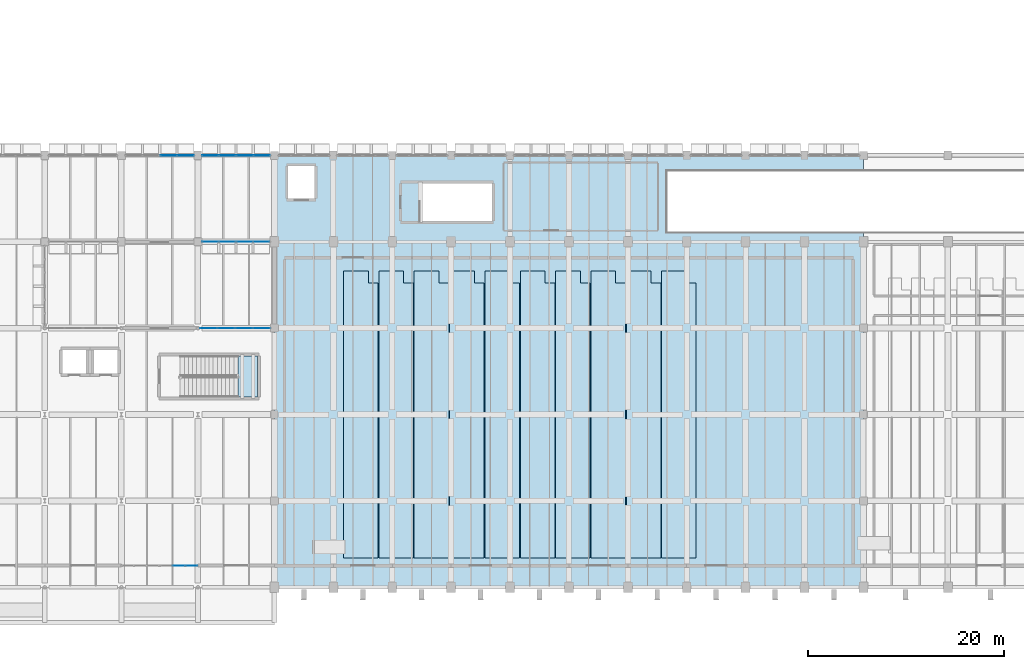
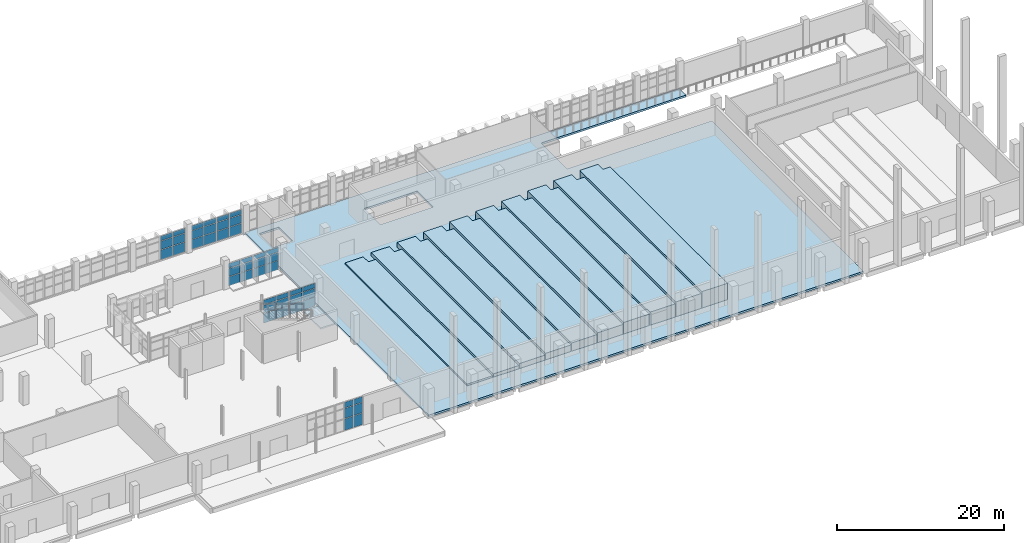
# One storey, part 52 of 76: 48 plates, 12 slabs, 9 elements without a shape of their own.
"""IFC4 building model written with IfcOpenShell, lengths in metres."""

from ifc_helpers import new_model, si_unit, direction, frame, origin, origin_2d, place, context, subcontext, project, spatial, polyline, rectangle, outline, extrude, material, layer, layer_set, type_object, element, aggregate, save


model = new_model("IFC4")

# Units and contexts
model_context = context("Model", 3, precision=1e-05, world=origin(), true_north=direction((0.0, 1.0)))
body_context = subcontext(model_context, "Body", "Model", "MODEL_VIEW")
ifc_project = project(units=[si_unit("LENGTHUNIT", "METRE"), si_unit("AREAUNIT", "SQUARE_METRE"), si_unit("VOLUMEUNIT", "CUBIC_METRE"), si_unit("PLANEANGLEUNIT", "RADIAN"), si_unit("MASSUNIT", "GRAM", prefix="KILO")], contexts=[model_context])

# Site, building, storey
site_placement = place(None, origin())
site = spatial("IfcSite", under=ifc_project, at=site_placement, CompositionType="ELEMENT")
building_placement = place(site_placement, origin())
building = spatial("IfcBuilding", under=site, at=building_placement, Name="Varnakota Cinema and Media Centre", CompositionType="ELEMENT")
storey_placement = place(building_placement, origin())
storey = spatial("IfcBuildingStorey", under=building, at=storey_placement, Name="L00", CompositionType="ELEMENT", Elevation=0.0)

# Curtain wall, plates
ifc_material_1 = material(Name="Thermally broken anodised aluminium AW-6063", Category="aluminium")
curtain_wall_type_1 = type_object("IfcCurtainWallType", Name="CW-STD-388x424", PredefinedType="USERDEFINED", material=ifc_material_1)
curtain_wall_1_placement = place(storey_placement, origin())
curtain_wall_1 = element("IfcCurtainWall", 1, at=curtain_wall_1_placement, inside=storey, type_object=curtain_wall_type_1, Name="L00 curtain wall CW-L00-V6-S-02-1", ObjectType="UNITISED CURTAIN WALL", PredefinedType="USERDEFINED")
ifc_material_2 = material(Name="Laminated solar-control double glazing", Category="glass")
ifc_layer_1 = layer(ifc_material_2, 0.028076171875)
ifc_layer_set_1 = layer_set([ifc_layer_1], Name="Laminated solar-control double glazing")
plate_type = type_object("IfcPlateType", Name="CWP-DGU-28", PredefinedType="CURTAIN_PANEL", material=ifc_layer_set_1)
plate_1_placement = place(storey_placement, frame((66.537109375, 2.199951171875, 0.06494140625), z_axis=(0.0, 0.0, 1.0), x_axis=(-1.0, 0.0, 0.0)))
plate_1 = element("IfcPlate", 2, at=plate_1_placement, type_object=plate_type, Name="CW05 panel 1.1", PredefinedType="CURTAIN_PANEL", context=body_context, shape_type="SweptSolid", body=[
    extrude(rectangle(XDim=1.19580078125, YDim=0.028076171875, at=origin_2d()), origin(), (0.0, 0.0, 1.0), 1.68115234375),
])
plate_2_placement = place(storey_placement, frame((66.537109375, 2.199951171875, 1.81103515625), z_axis=(0.0, 0.0, 1.0), x_axis=(-1.0, 0.0, 0.0)))
plate_2 = element("IfcPlate", 3, at=plate_2_placement, type_object=plate_type, Name="CW05 panel 1.2", PredefinedType="CURTAIN_PANEL", context=body_context, shape_type="SweptSolid", body=[
    extrude(rectangle(XDim=1.19580078125, YDim=0.028076171875, at=origin_2d()), origin(), (0.0, 0.0, 1.0), 1.459716796875),
])
plate_3_placement = place(storey_placement, frame((66.537109375, 2.199951171875, 3.3359375), z_axis=(0.0, 0.0, 1.0), x_axis=(-1.0, 0.0, 0.0)))
plate_3 = element("IfcPlate", 4, at=plate_3_placement, type_object=plate_type, Name="CW05 panel 1.3", PredefinedType="CURTAIN_PANEL", context=body_context, shape_type="SweptSolid", body=[
    extrude(rectangle(XDim=1.19580078125, YDim=0.028076171875, at=origin_2d()), origin(), (0.0, 0.0, 1.0), 0.834228515625),
])
plate_4_placement = place(storey_placement, frame((65.260009765625, 2.199951171875, 0.06494140625), z_axis=(0.0, 0.0, 1.0), x_axis=(-1.0, 0.0, 0.0)))
plate_4 = element("IfcPlate", 5, at=plate_4_placement, type_object=plate_type, Name="CW05 panel 2.1", PredefinedType="CURTAIN_PANEL", context=body_context, shape_type="SweptSolid", body=[
    extrude(rectangle(XDim=1.228271484375, YDim=0.028076171875, at=origin_2d()), origin(), (0.0, 0.0, 1.0), 1.68115234375),
])
plate_5_placement = place(storey_placement, frame((65.260009765625, 2.199951171875, 1.81103515625), z_axis=(0.0, 0.0, 1.0), x_axis=(-1.0, 0.0, 0.0)))
plate_5 = element("IfcPlate", 6, at=plate_5_placement, type_object=plate_type, Name="CW05 panel 2.2", PredefinedType="CURTAIN_PANEL", context=body_context, shape_type="SweptSolid", body=[
    extrude(rectangle(XDim=1.228271484375, YDim=0.028076171875, at=origin_2d()), origin(), (0.0, 0.0, 1.0), 1.459716796875),
])
plate_6_placement = place(storey_placement, frame((65.260009765625, 2.199951171875, 3.3359375), z_axis=(0.0, 0.0, 1.0), x_axis=(-1.0, 0.0, 0.0)))
plate_6 = element("IfcPlate", 7, at=plate_6_placement, type_object=plate_type, Name="CW05 panel 2.3", PredefinedType="CURTAIN_PANEL", context=body_context, shape_type="SweptSolid", body=[
    extrude(rectangle(XDim=1.228271484375, YDim=0.028076171875, at=origin_2d()), origin(), (0.0, 0.0, 1.0), 0.834228515625),
])
aggregate(curtain_wall_1, [plate_1, plate_2, plate_3, plate_4, plate_5, plate_6])

ifc_material_3 = material(Name="Thermally broken anodised aluminium AW-6063", Category="aluminium")
curtain_wall_type_2 = type_object("IfcCurtainWallType", Name="CW-STD-349x358", PredefinedType="USERDEFINED", material=ifc_material_3)
curtain_wall_2_placement = place(storey_placement, origin())
curtain_wall_2 = element("IfcCurtainWall", 8, at=curtain_wall_2_placement, inside=storey, type_object=curtain_wall_type_2, Name="L00 curtain wall CW-L00-LINK-N-03-2", ObjectType="UNITISED CURTAIN WALL", PredefinedType="USERDEFINED")
plate_7_placement = place(storey_placement, frame((64.221923828125, 44.0, 0.06494140625), z_axis=(0.0, 0.0, 1.0), x_axis=(1.0, 0.0, 0.0)))
plate_7 = element("IfcPlate", 9, at=plate_7_placement, type_object=plate_type, Name="CW08 panel 1.1", PredefinedType="CURTAIN_PANEL", context=body_context, shape_type="SweptSolid", body=[
    extrude(rectangle(XDim=1.648681640625, YDim=0.028076171875, at=origin_2d()), origin(), (0.0, 0.0, 1.0), 1.408203125),
])
plate_8_placement = place(storey_placement, frame((64.221923828125, 44.0, 1.5380859375), z_axis=(0.0, 0.0, 1.0), x_axis=(1.0, 0.0, 0.0)))
plate_8 = element("IfcPlate", 10, at=plate_8_placement, type_object=plate_type, Name="CW08 panel 1.2", PredefinedType="CURTAIN_PANEL", context=body_context, shape_type="SweptSolid", body=[
    extrude(rectangle(XDim=1.648681640625, YDim=0.028076171875, at=origin_2d()), origin(), (0.0, 0.0, 1.0), 1.2255859375),
])
plate_9_placement = place(storey_placement, frame((64.221923828125, 44.0, 2.82861328125), z_axis=(0.0, 0.0, 1.0), x_axis=(1.0, 0.0, 0.0)))
plate_9 = element("IfcPlate", 11, at=plate_9_placement, type_object=plate_type, Name="CW08 panel 1.3", PredefinedType="CURTAIN_PANEL", context=body_context, shape_type="SweptSolid", body=[
    extrude(rectangle(XDim=1.648681640625, YDim=0.028076171875, at=origin_2d()), origin(), (0.0, 0.0, 1.0), 0.691162109375),
])
plate_10_placement = place(storey_placement, frame((65.935546875, 44.0, 0.06494140625), z_axis=(0.0, 0.0, 1.0), x_axis=(1.0, 0.0, 0.0)))
plate_10 = element("IfcPlate", 12, at=plate_10_placement, type_object=plate_type, Name="CW08 panel 2.1", PredefinedType="CURTAIN_PANEL", context=body_context, shape_type="SweptSolid", body=[
    extrude(rectangle(XDim=1.648681640625, YDim=0.028076171875, at=origin_2d()), origin(), (0.0, 0.0, 1.0), 1.408203125),
])
plate_11_placement = place(storey_placement, frame((65.935546875, 44.0, 1.5380859375), z_axis=(0.0, 0.0, 1.0), x_axis=(1.0, 0.0, 0.0)))
plate_11 = element("IfcPlate", 13, at=plate_11_placement, type_object=plate_type, Name="CW08 panel 2.2", PredefinedType="CURTAIN_PANEL", context=body_context, shape_type="SweptSolid", body=[
    extrude(rectangle(XDim=1.648681640625, YDim=0.028076171875, at=origin_2d()), origin(), (0.0, 0.0, 1.0), 1.2255859375),
])
plate_12_placement = place(storey_placement, frame((65.935546875, 44.0, 2.82861328125), z_axis=(0.0, 0.0, 1.0), x_axis=(1.0, 0.0, 0.0)))
plate_12 = element("IfcPlate", 14, at=plate_12_placement, type_object=plate_type, Name="CW08 panel 2.3", PredefinedType="CURTAIN_PANEL", context=body_context, shape_type="SweptSolid", body=[
    extrude(rectangle(XDim=1.648681640625, YDim=0.028076171875, at=origin_2d()), origin(), (0.0, 0.0, 1.0), 0.691162109375),
])
aggregate(curtain_wall_2, [plate_7, plate_8, plate_9, plate_10, plate_11, plate_12])

curtain_wall_3_placement = place(storey_placement, origin())
curtain_wall_3 = element("IfcCurtainWall", 15, at=curtain_wall_3_placement, inside=storey, type_object=curtain_wall_type_2, Name="L00 curtain wall CW-L00-LINK-N-04-1", ObjectType="UNITISED CURTAIN WALL", PredefinedType="USERDEFINED")
plate_13_placement = place(storey_placement, frame((68.46435546875, 44.0, 0.06494140625), z_axis=(0.0, 0.0, 1.0), x_axis=(1.0, 0.0, 0.0)))
plate_13 = element("IfcPlate", 16, at=plate_13_placement, type_object=plate_type, Name="CW08 panel 1.1", PredefinedType="CURTAIN_PANEL", context=body_context, shape_type="SweptSolid", body=[
    extrude(rectangle(XDim=1.648681640625, YDim=0.028076171875, at=origin_2d()), origin(), (0.0, 0.0, 1.0), 1.408203125),
])
plate_14_placement = place(storey_placement, frame((68.46435546875, 44.0, 1.5380859375), z_axis=(0.0, 0.0, 1.0), x_axis=(1.0, 0.0, 0.0)))
plate_14 = element("IfcPlate", 17, at=plate_14_placement, type_object=plate_type, Name="CW08 panel 1.2", PredefinedType="CURTAIN_PANEL", context=body_context, shape_type="SweptSolid", body=[
    extrude(rectangle(XDim=1.648681640625, YDim=0.028076171875, at=origin_2d()), origin(), (0.0, 0.0, 1.0), 1.2255859375),
])
plate_15_placement = place(storey_placement, frame((68.46435546875, 44.0, 2.82861328125), z_axis=(0.0, 0.0, 1.0), x_axis=(1.0, 0.0, 0.0)))
plate_15 = element("IfcPlate", 18, at=plate_15_placement, type_object=plate_type, Name="CW08 panel 1.3", PredefinedType="CURTAIN_PANEL", context=body_context, shape_type="SweptSolid", body=[
    extrude(rectangle(XDim=1.648681640625, YDim=0.028076171875, at=origin_2d()), origin(), (0.0, 0.0, 1.0), 0.691162109375),
])
plate_16_placement = place(storey_placement, frame((70.17822265625, 44.0, 0.06494140625), z_axis=(0.0, 0.0, 1.0), x_axis=(1.0, 0.0, 0.0)))
plate_16 = element("IfcPlate", 19, at=plate_16_placement, type_object=plate_type, Name="CW08 panel 2.1", PredefinedType="CURTAIN_PANEL", context=body_context, shape_type="SweptSolid", body=[
    extrude(rectangle(XDim=1.648681640625, YDim=0.028076171875, at=origin_2d()), origin(), (0.0, 0.0, 1.0), 1.408203125),
])
plate_17_placement = place(storey_placement, frame((70.17822265625, 44.0, 1.5380859375), z_axis=(0.0, 0.0, 1.0), x_axis=(1.0, 0.0, 0.0)))
plate_17 = element("IfcPlate", 20, at=plate_17_placement, type_object=plate_type, Name="CW08 panel 2.2", PredefinedType="CURTAIN_PANEL", context=body_context, shape_type="SweptSolid", body=[
    extrude(rectangle(XDim=1.648681640625, YDim=0.028076171875, at=origin_2d()), origin(), (0.0, 0.0, 1.0), 1.2255859375),
])
plate_18_placement = place(storey_placement, frame((70.17822265625, 44.0, 2.82861328125), z_axis=(0.0, 0.0, 1.0), x_axis=(1.0, 0.0, 0.0)))
plate_18 = element("IfcPlate", 21, at=plate_18_placement, type_object=plate_type, Name="CW08 panel 2.3", PredefinedType="CURTAIN_PANEL", context=body_context, shape_type="SweptSolid", body=[
    extrude(rectangle(XDim=1.648681640625, YDim=0.028076171875, at=origin_2d()), origin(), (0.0, 0.0, 1.0), 0.691162109375),
])
aggregate(curtain_wall_3, [plate_13, plate_14, plate_15, plate_16, plate_17, plate_18])

curtain_wall_4_placement = place(storey_placement, origin())
curtain_wall_4 = element("IfcCurtainWall", 22, at=curtain_wall_4_placement, inside=storey, type_object=curtain_wall_type_2, Name="L00 curtain wall CW-L00-LINK-N-04-2", ObjectType="UNITISED CURTAIN WALL", PredefinedType="USERDEFINED")
plate_19_placement = place(storey_placement, frame((71.996826171875, 44.0, 0.06494140625), z_axis=(0.0, 0.0, 1.0), x_axis=(1.0, 0.0, 0.0)))
plate_19 = element("IfcPlate", 23, at=plate_19_placement, type_object=plate_type, Name="CW08 panel 1.1", PredefinedType="CURTAIN_PANEL", context=body_context, shape_type="SweptSolid", body=[
    extrude(rectangle(XDim=1.648681640625, YDim=0.028076171875, at=origin_2d()), origin(), (0.0, 0.0, 1.0), 1.408203125),
])
plate_20_placement = place(storey_placement, frame((71.996826171875, 44.0, 1.5380859375), z_axis=(0.0, 0.0, 1.0), x_axis=(1.0, 0.0, 0.0)))
plate_20 = element("IfcPlate", 24, at=plate_20_placement, type_object=plate_type, Name="CW08 panel 1.2", PredefinedType="CURTAIN_PANEL", context=body_context, shape_type="SweptSolid", body=[
    extrude(rectangle(XDim=1.648681640625, YDim=0.028076171875, at=origin_2d()), origin(), (0.0, 0.0, 1.0), 1.2255859375),
])
plate_21_placement = place(storey_placement, frame((71.996826171875, 44.0, 2.82861328125), z_axis=(0.0, 0.0, 1.0), x_axis=(1.0, 0.0, 0.0)))
plate_21 = element("IfcPlate", 25, at=plate_21_placement, type_object=plate_type, Name="CW08 panel 1.3", PredefinedType="CURTAIN_PANEL", context=body_context, shape_type="SweptSolid", body=[
    extrude(rectangle(XDim=1.648681640625, YDim=0.028076171875, at=origin_2d()), origin(), (0.0, 0.0, 1.0), 0.691162109375),
])
plate_22_placement = place(storey_placement, frame((73.710693359375, 44.0, 0.06494140625), z_axis=(0.0, 0.0, 1.0), x_axis=(1.0, 0.0, 0.0)))
plate_22 = element("IfcPlate", 26, at=plate_22_placement, type_object=plate_type, Name="CW08 panel 2.1", PredefinedType="CURTAIN_PANEL", context=body_context, shape_type="SweptSolid", body=[
    extrude(rectangle(XDim=1.648681640625, YDim=0.028076171875, at=origin_2d()), origin(), (0.0, 0.0, 1.0), 1.408203125),
])
plate_23_placement = place(storey_placement, frame((73.710693359375, 44.0, 1.5380859375), z_axis=(0.0, 0.0, 1.0), x_axis=(1.0, 0.0, 0.0)))
plate_23 = element("IfcPlate", 27, at=plate_23_placement, type_object=plate_type, Name="CW08 panel 2.2", PredefinedType="CURTAIN_PANEL", context=body_context, shape_type="SweptSolid", body=[
    extrude(rectangle(XDim=1.648681640625, YDim=0.028076171875, at=origin_2d()), origin(), (0.0, 0.0, 1.0), 1.2255859375),
])
plate_24_placement = place(storey_placement, frame((73.710693359375, 44.0, 2.82861328125), z_axis=(0.0, 0.0, 1.0), x_axis=(1.0, 0.0, 0.0)))
plate_24 = element("IfcPlate", 28, at=plate_24_placement, type_object=plate_type, Name="CW08 panel 2.3", PredefinedType="CURTAIN_PANEL", context=body_context, shape_type="SweptSolid", body=[
    extrude(rectangle(XDim=1.648681640625, YDim=0.028076171875, at=origin_2d()), origin(), (0.0, 0.0, 1.0), 0.691162109375),
])
aggregate(curtain_wall_4, [plate_19, plate_20, plate_21, plate_22, plate_23, plate_24])

ifc_material_4 = material(Name="Thermally broken anodised aluminium AW-6063", Category="aluminium")
curtain_wall_type_3 = type_object("IfcCurtainWallType", Name="CW-STD-360x348", PredefinedType="USERDEFINED", material=ifc_material_4)
curtain_wall_5_placement = place(storey_placement, origin())
curtain_wall_5 = element("IfcCurtainWall", 29, at=curtain_wall_5_placement, inside=storey, type_object=curtain_wall_type_3, Name="L00 curtain wall CW-L00-V6-N-03-1", ObjectType="UNITISED CURTAIN WALL", PredefinedType="USERDEFINED")
plate_25_placement = place(storey_placement, frame((68.278076171875, 26.39990234375, 0.06494140625), z_axis=(0.0, 0.0, 1.0), x_axis=(1.0, 0.0, 0.0)))
plate_25 = element("IfcPlate", 30, at=plate_25_placement, type_object=plate_type, Name="CW10 panel 1.1", PredefinedType="CURTAIN_PANEL", context=body_context, shape_type="SweptSolid", body=[
    extrude(rectangle(XDim=1.701904296875, YDim=0.028076171875, at=origin_2d()), origin(), (0.0, 0.0, 1.0), 1.3662109375),
])
plate_26_placement = place(storey_placement, frame((68.278076171875, 26.39990234375, 1.49609375), z_axis=(0.0, 0.0, 1.0), x_axis=(1.0, 0.0, 0.0)))
plate_26 = element("IfcPlate", 31, at=plate_26_placement, type_object=plate_type, Name="CW10 panel 1.2", PredefinedType="CURTAIN_PANEL", context=body_context, shape_type="SweptSolid", body=[
    extrude(rectangle(XDim=1.701904296875, YDim=0.028076171875, at=origin_2d()), origin(), (0.0, 0.0, 1.0), 1.189697265625),
])
plate_27_placement = place(storey_placement, frame((68.278076171875, 26.39990234375, 2.7509765625), z_axis=(0.0, 0.0, 1.0), x_axis=(1.0, 0.0, 0.0)))
plate_27 = element("IfcPlate", 32, at=plate_27_placement, type_object=plate_type, Name="CW10 panel 1.3", PredefinedType="CURTAIN_PANEL", context=body_context, shape_type="SweptSolid", body=[
    extrude(rectangle(XDim=1.701904296875, YDim=0.028076171875, at=origin_2d()), origin(), (0.0, 0.0, 1.0), 0.669189453125),
])
plate_28_placement = place(storey_placement, frame((70.044921875, 26.39990234375, 0.06494140625), z_axis=(0.0, 0.0, 1.0), x_axis=(1.0, 0.0, 0.0)))
plate_28 = element("IfcPlate", 33, at=plate_28_placement, type_object=plate_type, Name="CW10 panel 2.1", PredefinedType="CURTAIN_PANEL", context=body_context, shape_type="SweptSolid", body=[
    extrude(rectangle(XDim=1.701904296875, YDim=0.028076171875, at=origin_2d()), origin(), (0.0, 0.0, 1.0), 1.3662109375),
])
plate_29_placement = place(storey_placement, frame((70.044921875, 26.39990234375, 1.49609375), z_axis=(0.0, 0.0, 1.0), x_axis=(1.0, 0.0, 0.0)))
plate_29 = element("IfcPlate", 34, at=plate_29_placement, type_object=plate_type, Name="CW10 panel 2.2", PredefinedType="CURTAIN_PANEL", context=body_context, shape_type="SweptSolid", body=[
    extrude(rectangle(XDim=1.701904296875, YDim=0.028076171875, at=origin_2d()), origin(), (0.0, 0.0, 1.0), 1.189697265625),
])
plate_30_placement = place(storey_placement, frame((70.044921875, 26.39990234375, 2.7509765625), z_axis=(0.0, 0.0, 1.0), x_axis=(1.0, 0.0, 0.0)))
plate_30 = element("IfcPlate", 35, at=plate_30_placement, type_object=plate_type, Name="CW10 panel 2.3", PredefinedType="CURTAIN_PANEL", context=body_context, shape_type="SweptSolid", body=[
    extrude(rectangle(XDim=1.701904296875, YDim=0.028076171875, at=origin_2d()), origin(), (0.0, 0.0, 1.0), 0.669189453125),
])
aggregate(curtain_wall_5, [plate_25, plate_26, plate_27, plate_28, plate_29, plate_30])

curtain_wall_6_placement = place(storey_placement, origin())
curtain_wall_6 = element("IfcCurtainWall", 36, at=curtain_wall_6_placement, inside=storey, type_object=curtain_wall_type_3, Name="L00 curtain wall CW-L00-V6-N-03-2", ObjectType="UNITISED CURTAIN WALL", PredefinedType="USERDEFINED")
plate_31_placement = place(storey_placement, frame((71.9169921875, 26.39990234375, 0.06494140625), z_axis=(0.0, 0.0, 1.0), x_axis=(1.0, 0.0, 0.0)))
plate_31 = element("IfcPlate", 37, at=plate_31_placement, type_object=plate_type, Name="CW10 panel 1.1", PredefinedType="CURTAIN_PANEL", context=body_context, shape_type="SweptSolid", body=[
    extrude(rectangle(XDim=1.701904296875, YDim=0.028076171875, at=origin_2d()), origin(), (0.0, 0.0, 1.0), 1.3662109375),
])
plate_32_placement = place(storey_placement, frame((71.9169921875, 26.39990234375, 1.49609375), z_axis=(0.0, 0.0, 1.0), x_axis=(1.0, 0.0, 0.0)))
plate_32 = element("IfcPlate", 38, at=plate_32_placement, type_object=plate_type, Name="CW10 panel 1.2", PredefinedType="CURTAIN_PANEL", context=body_context, shape_type="SweptSolid", body=[
    extrude(rectangle(XDim=1.701904296875, YDim=0.028076171875, at=origin_2d()), origin(), (0.0, 0.0, 1.0), 1.189697265625),
])
plate_33_placement = place(storey_placement, frame((71.9169921875, 26.39990234375, 2.7509765625), z_axis=(0.0, 0.0, 1.0), x_axis=(1.0, 0.0, 0.0)))
plate_33 = element("IfcPlate", 39, at=plate_33_placement, type_object=plate_type, Name="CW10 panel 1.3", PredefinedType="CURTAIN_PANEL", context=body_context, shape_type="SweptSolid", body=[
    extrude(rectangle(XDim=1.701904296875, YDim=0.028076171875, at=origin_2d()), origin(), (0.0, 0.0, 1.0), 0.669189453125),
])
plate_34_placement = place(storey_placement, frame((73.68408203125, 26.39990234375, 0.06494140625), z_axis=(0.0, 0.0, 1.0), x_axis=(1.0, 0.0, 0.0)))
plate_34 = element("IfcPlate", 40, at=plate_34_placement, type_object=plate_type, Name="CW10 panel 2.1", PredefinedType="CURTAIN_PANEL", context=body_context, shape_type="SweptSolid", body=[
    extrude(rectangle(XDim=1.701904296875, YDim=0.028076171875, at=origin_2d()), origin(), (0.0, 0.0, 1.0), 1.3662109375),
])
plate_35_placement = place(storey_placement, frame((73.68408203125, 26.39990234375, 1.49609375), z_axis=(0.0, 0.0, 1.0), x_axis=(1.0, 0.0, 0.0)))
plate_35 = element("IfcPlate", 41, at=plate_35_placement, type_object=plate_type, Name="CW10 panel 2.2", PredefinedType="CURTAIN_PANEL", context=body_context, shape_type="SweptSolid", body=[
    extrude(rectangle(XDim=1.701904296875, YDim=0.028076171875, at=origin_2d()), origin(), (0.0, 0.0, 1.0), 1.189697265625),
])
plate_36_placement = place(storey_placement, frame((73.68408203125, 26.39990234375, 2.7509765625), z_axis=(0.0, 0.0, 1.0), x_axis=(1.0, 0.0, 0.0)))
plate_36 = element("IfcPlate", 42, at=plate_36_placement, type_object=plate_type, Name="CW10 panel 2.3", PredefinedType="CURTAIN_PANEL", context=body_context, shape_type="SweptSolid", body=[
    extrude(rectangle(XDim=1.701904296875, YDim=0.028076171875, at=origin_2d()), origin(), (0.0, 0.0, 1.0), 0.669189453125),
])
aggregate(curtain_wall_6, [plate_31, plate_32, plate_33, plate_34, plate_35, plate_36])

ifc_material_5 = material(Name="Thermally broken anodised aluminium AW-6063", Category="aluminium")
curtain_wall_type_4 = type_object("IfcCurtainWallType", Name="CW-STD-346x338", PredefinedType="USERDEFINED", material=ifc_material_5)
curtain_wall_7_placement = place(storey_placement, origin())
curtain_wall_7 = element("IfcCurtainWall", 43, at=curtain_wall_7_placement, inside=storey, type_object=curtain_wall_type_4, Name="L00 curtain wall CW-L00-LINK-S-01-1", ObjectType="UNITISED CURTAIN WALL", PredefinedType="USERDEFINED")
plate_37_placement = place(storey_placement, frame((73.669921875, 35.199951171875, 0.06494140625), z_axis=(0.0, 0.0, 1.0), x_axis=(-1.0, 0.0, 0.0)))
plate_37 = element("IfcPlate", 44, at=plate_37_placement, type_object=plate_type, Name="CW11 panel 1.1", PredefinedType="CURTAIN_PANEL", context=body_context, shape_type="SweptSolid", body=[
    extrude(rectangle(XDim=1.6298828125, YDim=0.028076171875, at=origin_2d()), origin(), (0.0, 0.0, 1.0), 1.32421875),
])
plate_38_placement = place(storey_placement, frame((73.669921875, 35.199951171875, 1.4541015625), z_axis=(0.0, 0.0, 1.0), x_axis=(-1.0, 0.0, 0.0)))
plate_38 = element("IfcPlate", 45, at=plate_38_placement, type_object=plate_type, Name="CW11 panel 1.2", PredefinedType="CURTAIN_PANEL", context=body_context, shape_type="SweptSolid", body=[
    extrude(rectangle(XDim=1.6298828125, YDim=0.028076171875, at=origin_2d()), origin(), (0.0, 0.0, 1.0), 1.153564453125),
])
plate_39_placement = place(storey_placement, frame((73.669921875, 35.199951171875, 2.6728515625), z_axis=(0.0, 0.0, 1.0), x_axis=(-1.0, 0.0, 0.0)))
plate_39 = element("IfcPlate", 46, at=plate_39_placement, type_object=plate_type, Name="CW11 panel 1.3", PredefinedType="CURTAIN_PANEL", context=body_context, shape_type="SweptSolid", body=[
    extrude(rectangle(XDim=1.6298828125, YDim=0.028076171875, at=origin_2d()), origin(), (0.0, 0.0, 1.0), 0.647216796875),
])
plate_40_placement = place(storey_placement, frame((71.97509765625, 35.199951171875, 0.06494140625), z_axis=(0.0, 0.0, 1.0), x_axis=(-1.0, 0.0, 0.0)))
plate_40 = element("IfcPlate", 47, at=plate_40_placement, type_object=plate_type, Name="CW11 panel 2.1", PredefinedType="CURTAIN_PANEL", context=body_context, shape_type="SweptSolid", body=[
    extrude(rectangle(XDim=1.6298828125, YDim=0.028076171875, at=origin_2d()), origin(), (0.0, 0.0, 1.0), 1.32421875),
])
plate_41_placement = place(storey_placement, frame((71.97509765625, 35.199951171875, 1.4541015625), z_axis=(0.0, 0.0, 1.0), x_axis=(-1.0, 0.0, 0.0)))
plate_41 = element("IfcPlate", 48, at=plate_41_placement, type_object=plate_type, Name="CW11 panel 2.2", PredefinedType="CURTAIN_PANEL", context=body_context, shape_type="SweptSolid", body=[
    extrude(rectangle(XDim=1.6298828125, YDim=0.028076171875, at=origin_2d()), origin(), (0.0, 0.0, 1.0), 1.153564453125),
])
plate_42_placement = place(storey_placement, frame((71.97509765625, 35.199951171875, 2.6728515625), z_axis=(0.0, 0.0, 1.0), x_axis=(-1.0, 0.0, 0.0)))
plate_42 = element("IfcPlate", 49, at=plate_42_placement, type_object=plate_type, Name="CW11 panel 2.3", PredefinedType="CURTAIN_PANEL", context=body_context, shape_type="SweptSolid", body=[
    extrude(rectangle(XDim=1.6298828125, YDim=0.028076171875, at=origin_2d()), origin(), (0.0, 0.0, 1.0), 0.647216796875),
])
aggregate(curtain_wall_7, [plate_37, plate_38, plate_39, plate_40, plate_41, plate_42])

curtain_wall_8_placement = place(storey_placement, origin())
curtain_wall_8 = element("IfcCurtainWall", 50, at=curtain_wall_8_placement, inside=storey, type_object=curtain_wall_type_4, Name="L00 curtain wall CW-L00-LINK-S-01-2", ObjectType="UNITISED CURTAIN WALL", PredefinedType="USERDEFINED")
plate_43_placement = place(storey_placement, frame((70.175048828125, 35.199951171875, 0.06494140625), z_axis=(0.0, 0.0, 1.0), x_axis=(-1.0, 0.0, 0.0)))
plate_43 = element("IfcPlate", 51, at=plate_43_placement, type_object=plate_type, Name="CW11 panel 1.1", PredefinedType="CURTAIN_PANEL", context=body_context, shape_type="SweptSolid", body=[
    extrude(rectangle(XDim=1.6298828125, YDim=0.028076171875, at=origin_2d()), origin(), (0.0, 0.0, 1.0), 1.32421875),
])
plate_44_placement = place(storey_placement, frame((70.175048828125, 35.199951171875, 1.4541015625), z_axis=(0.0, 0.0, 1.0), x_axis=(-1.0, 0.0, 0.0)))
plate_44 = element("IfcPlate", 52, at=plate_44_placement, type_object=plate_type, Name="CW11 panel 1.2", PredefinedType="CURTAIN_PANEL", context=body_context, shape_type="SweptSolid", body=[
    extrude(rectangle(XDim=1.6298828125, YDim=0.028076171875, at=origin_2d()), origin(), (0.0, 0.0, 1.0), 1.153564453125),
])
plate_45_placement = place(storey_placement, frame((70.175048828125, 35.199951171875, 2.6728515625), z_axis=(0.0, 0.0, 1.0), x_axis=(-1.0, 0.0, 0.0)))
plate_45 = element("IfcPlate", 53, at=plate_45_placement, type_object=plate_type, Name="CW11 panel 1.3", PredefinedType="CURTAIN_PANEL", context=body_context, shape_type="SweptSolid", body=[
    extrude(rectangle(XDim=1.6298828125, YDim=0.028076171875, at=origin_2d()), origin(), (0.0, 0.0, 1.0), 0.647216796875),
])
plate_46_placement = place(storey_placement, frame((68.47998046875, 35.199951171875, 0.06494140625), z_axis=(0.0, 0.0, 1.0), x_axis=(-1.0, 0.0, 0.0)))
plate_46 = element("IfcPlate", 54, at=plate_46_placement, type_object=plate_type, Name="CW11 panel 2.1", PredefinedType="CURTAIN_PANEL", context=body_context, shape_type="SweptSolid", body=[
    extrude(rectangle(XDim=1.6298828125, YDim=0.028076171875, at=origin_2d()), origin(), (0.0, 0.0, 1.0), 1.32421875),
])
plate_47_placement = place(storey_placement, frame((68.47998046875, 35.199951171875, 1.4541015625), z_axis=(0.0, 0.0, 1.0), x_axis=(-1.0, 0.0, 0.0)))
plate_47 = element("IfcPlate", 55, at=plate_47_placement, type_object=plate_type, Name="CW11 panel 2.2", PredefinedType="CURTAIN_PANEL", context=body_context, shape_type="SweptSolid", body=[
    extrude(rectangle(XDim=1.6298828125, YDim=0.028076171875, at=origin_2d()), origin(), (0.0, 0.0, 1.0), 1.153564453125),
])
plate_48_placement = place(storey_placement, frame((68.47998046875, 35.199951171875, 2.6728515625), z_axis=(0.0, 0.0, 1.0), x_axis=(-1.0, 0.0, 0.0)))
plate_48 = element("IfcPlate", 56, at=plate_48_placement, type_object=plate_type, Name="CW11 panel 2.3", PredefinedType="CURTAIN_PANEL", context=body_context, shape_type="SweptSolid", body=[
    extrude(rectangle(XDim=1.6298828125, YDim=0.028076171875, at=origin_2d()), origin(), (0.0, 0.0, 1.0), 0.647216796875),
])
aggregate(curtain_wall_8, [plate_43, plate_44, plate_45, plate_46, plate_47, plate_48])

# Slab
ifc_material_6 = material(Name="Concrete M35", Category="concrete")
ifc_layer_2 = layer(ifc_material_6, 0.280029296875)
ifc_layer_set_2 = layer_set([ifc_layer_2], Name="Concrete M35")
slab_type_1 = type_object("IfcSlabType", Name="SLB-FLR-280", PredefinedType="FLOOR", material=ifc_layer_set_2)
slab_1_placement = place(storey_placement, frame((0.0, 0.0, -0.280029296875)))
element("IfcSlab", 57, at=slab_1_placement, inside=storey, type_object=slab_type_1, Name="L00 V1 floor slab", PredefinedType="FLOOR", context=body_context, shape_type="SweptSolid", body=[
    extrude(outline(polyline([(75.0, 0.0), (135.0, 0.0), (135.0, 36.199951171875), (115.0, 36.199951171875), (115.0, 42.39990234375), (135.0, 42.39990234375), (135.0, 44.0), (75.0, 44.0), (75.0, 0.0)]), holes=[polyline([(89.85009765625, 37.300048828125), (97.159912109375, 37.300048828125), (97.159912109375, 41.14990234375), (89.85009765625, 41.14990234375), (89.85009765625, 37.300048828125)]), polyline([(76.39990234375, 39.60009765625), (79.10009765625, 39.60009765625), (79.10009765625, 42.89990234375), (76.39990234375, 42.89990234375), (76.39990234375, 39.60009765625)])]), origin(), (0.0, 0.0, 1.0), 0.280029296875),
])

# Stair, slab
ifc_material_7 = material(Name="Concrete M35", Category="concrete")
stair_type = type_object("IfcStairType", Name="STR-CORE-ST-04-2000", PredefinedType="HALF_TURN_STAIR", material=ifc_material_7)
stair_placement = place(storey_placement, origin())
stair = element("IfcStair", 58, at=stair_placement, inside=storey, type_object=stair_type, Name="L00 Foyer and Terrace Escape Stair 4", PredefinedType="HALF_TURN_STAIR")
ifc_material_8 = material(Name="Concrete M35", Category="concrete")
ifc_layer_3 = layer(ifc_material_8, 0.199951171875)
ifc_layer_set_3 = layer_set([ifc_layer_3], Name="Concrete M35")
slab_type_2 = type_object("IfcSlabType", Name="SLB-LAND-ST-04", PredefinedType="LANDING", material=ifc_layer_set_3)
slab_2_placement = place(storey_placement, frame((0.0, 0.0, 2.050048828125)))
slab_2 = element("IfcSlab", 59, at=slab_2_placement, type_object=slab_type_2, Name="ST-04 landing 1", PredefinedType="LANDING", context=body_context, shape_type="SweptSolid", body=[
    extrude(outline(polyline([(71.280029296875, 19.39990234375), (73.280029296875, 19.39990234375), (73.280029296875, 23.550048828125), (71.280029296875, 23.550048828125), (71.280029296875, 19.39990234375)])), origin(), (0.0, 0.0, 1.0), 0.199951171875),
])
aggregate(stair, [slab_2])

# Slabs
ifc_material_9 = material(Name="Concrete M35", Category="concrete")
ifc_layer_4 = layer(ifc_material_9, 0.219970703125)
ifc_layer_set_4 = layer_set([ifc_layer_4], Name="Concrete M35")
slab_type_3 = type_object("IfcSlabType", Name="SLB-TIER-220", PredefinedType="USERDEFINED", material=ifc_layer_set_4)
slab_3_placement = place(storey_placement, origin())
element("IfcSlab", 60, at=slab_3_placement, inside=storey, type_object=slab_type_3, Name="L00 V1-STALLS raked seating tier 1", ObjectType="SEATING TIER", PredefinedType="USERDEFINED", context=body_context, shape_type="SweptSolid", body=[
    extrude(outline(polyline([(82.0400390625, 3.0), (85.56005859375, 3.0), (85.56005859375, 31.0), (84.56005859375, 31.0), (84.56005859375, 32.199951171875), (82.0400390625, 32.199951171875), (82.0400390625, 3.0)])), origin(), (0.0, 0.0, 1.0), 0.239990234375),
])
slab_4_placement = place(storey_placement, origin())
element("IfcSlab", 61, at=slab_4_placement, inside=storey, type_object=slab_type_3, Name="L00 V1-STALLS raked seating tier 2", ObjectType="SEATING TIER", PredefinedType="USERDEFINED", context=body_context, shape_type="SweptSolid", body=[
    extrude(outline(polyline([(85.639892578125, 3.0), (89.159912109375, 3.0), (89.159912109375, 31.0), (88.159912109375, 31.0), (88.159912109375, 32.199951171875), (85.639892578125, 32.199951171875), (85.639892578125, 3.0)])), origin(), (0.0, 0.0, 1.0), 0.47998046875),
])
slab_5_placement = place(storey_placement, origin())
element("IfcSlab", 62, at=slab_5_placement, inside=storey, type_object=slab_type_3, Name="L00 V1-STALLS raked seating tier 3", ObjectType="SEATING TIER", PredefinedType="USERDEFINED", context=body_context, shape_type="SweptSolid", body=[
    extrude(outline(polyline([(89.239990234375, 3.0), (92.760009765625, 3.0), (92.760009765625, 31.0), (91.760009765625, 31.0), (91.760009765625, 32.199951171875), (89.239990234375, 32.199951171875), (89.239990234375, 3.0)])), origin(), (0.0, 0.0, 1.0), 0.719970703125),
])
slab_6_placement = place(storey_placement, origin())
element("IfcSlab", 63, at=slab_6_placement, inside=storey, type_object=slab_type_3, Name="L00 V1-STALLS raked seating tier 4", ObjectType="SEATING TIER", PredefinedType="USERDEFINED", context=body_context, shape_type="SweptSolid", body=[
    extrude(outline(polyline([(92.840087890625, 3.0), (96.360107421875, 3.0), (96.360107421875, 31.0), (95.360107421875, 31.0), (95.360107421875, 32.199951171875), (92.840087890625, 32.199951171875), (92.840087890625, 3.0)])), origin(), (0.0, 0.0, 1.0), 0.9599609375),
])
slab_7_placement = place(storey_placement, origin())
element("IfcSlab", 64, at=slab_7_placement, inside=storey, type_object=slab_type_3, Name="L00 V1-STALLS raked seating tier 5", ObjectType="SEATING TIER", PredefinedType="USERDEFINED", context=body_context, shape_type="SweptSolid", body=[
    extrude(outline(polyline([(96.43994140625, 3.0), (99.9599609375, 3.0), (99.9599609375, 31.0), (98.9599609375, 31.0), (98.9599609375, 32.199951171875), (96.43994140625, 32.199951171875), (96.43994140625, 3.0)])), origin(), (0.0, 0.0, 1.0), 1.199951171875),
])
slab_8_placement = place(storey_placement, origin())
element("IfcSlab", 65, at=slab_8_placement, inside=storey, type_object=slab_type_3, Name="L00 V1-STALLS raked seating tier 6", ObjectType="SEATING TIER", PredefinedType="USERDEFINED", context=body_context, shape_type="SweptSolid", body=[
    extrude(outline(polyline([(100.0400390625, 3.0), (103.56005859375, 3.0), (103.56005859375, 31.0), (102.56005859375, 31.0), (102.56005859375, 32.199951171875), (100.0400390625, 32.199951171875), (100.0400390625, 3.0)])), origin(), (0.0, 0.0, 1.0), 1.43994140625),
])
slab_9_placement = place(storey_placement, origin())
element("IfcSlab", 66, at=slab_9_placement, inside=storey, type_object=slab_type_3, Name="L00 V1-STALLS raked seating tier 7", ObjectType="SEATING TIER", PredefinedType="USERDEFINED", context=body_context, shape_type="SweptSolid", body=[
    extrude(outline(polyline([(103.639892578125, 3.0), (107.159912109375, 3.0), (107.159912109375, 31.0), (106.159912109375, 31.0), (106.159912109375, 32.199951171875), (103.639892578125, 32.199951171875), (103.639892578125, 3.0)])), origin(), (0.0, 0.0, 1.0), 1.679931640625),
])
slab_10_placement = place(storey_placement, origin())
element("IfcSlab", 67, at=slab_10_placement, inside=storey, type_object=slab_type_3, Name="L00 V1-STALLS raked seating tier 8", ObjectType="SEATING TIER", PredefinedType="USERDEFINED", context=body_context, shape_type="SweptSolid", body=[
    extrude(outline(polyline([(107.239990234375, 3.0), (110.760009765625, 3.0), (110.760009765625, 31.0), (109.760009765625, 31.0), (109.760009765625, 32.199951171875), (107.239990234375, 32.199951171875), (107.239990234375, 3.0)])), origin(), (0.0, 0.0, 1.0), 1.919921875),
])
slab_11_placement = place(storey_placement, origin())
element("IfcSlab", 68, at=slab_11_placement, inside=storey, type_object=slab_type_3, Name="L00 V1-STALLS raked seating tier 9", ObjectType="SEATING TIER", PredefinedType="USERDEFINED", context=body_context, shape_type="SweptSolid", body=[
    extrude(outline(polyline([(110.840087890625, 3.0), (114.360107421875, 3.0), (114.360107421875, 31.0), (113.360107421875, 31.0), (113.360107421875, 32.199951171875), (110.840087890625, 32.199951171875), (110.840087890625, 3.0)])), origin(), (0.0, 0.0, 1.0), 2.159912109375),
])
slab_12_placement = place(storey_placement, origin())
element("IfcSlab", 69, at=slab_12_placement, inside=storey, type_object=slab_type_3, Name="L00 V1-STALLS raked seating tier 10", ObjectType="SEATING TIER", PredefinedType="USERDEFINED", context=body_context, shape_type="SweptSolid", body=[
    extrude(outline(polyline([(114.43994140625, 3.0), (117.9599609375, 3.0), (117.9599609375, 31.0), (116.9599609375, 31.0), (116.9599609375, 32.199951171875), (114.43994140625, 32.199951171875), (114.43994140625, 3.0)])), origin(), (0.0, 0.0, 1.0), 2.39990234375),
])

save(model, "model.ifc")
